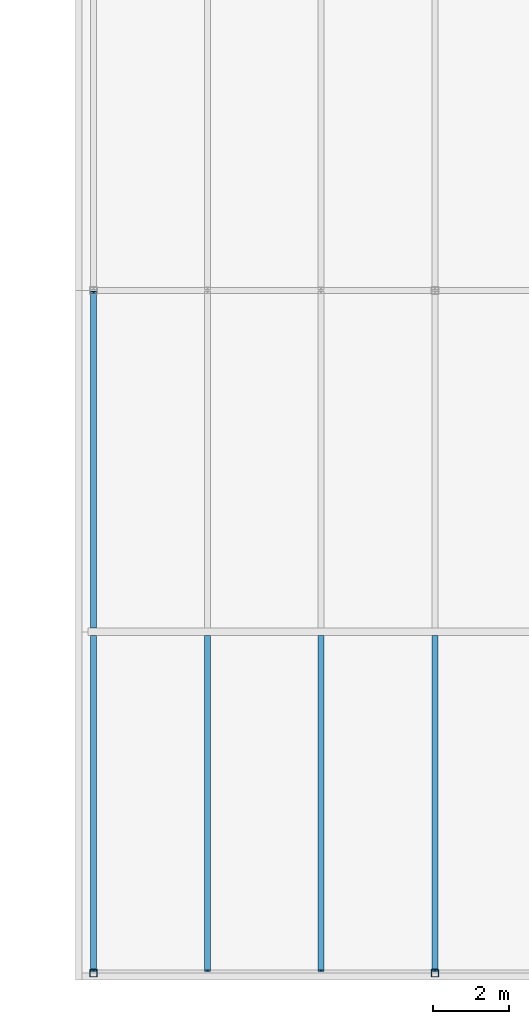
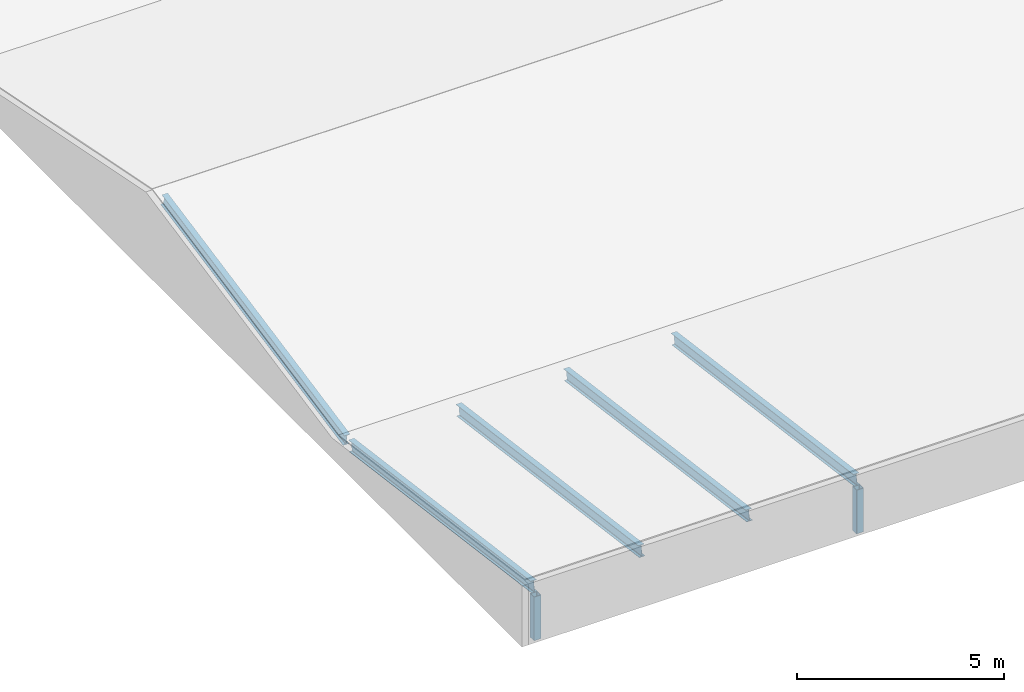
# One storey, part 2 of 29: 7 members.
"""IFC4 building model written with IfcOpenShell, lengths in metres."""

from ifc_helpers import new_model, si_unit, direction, frame, origin, origin_2d, place, context, subcontext, project, spatial, hollow_rectangle, i_section, extrude, material, material_profile, profile_set, type_object, element, save


model = new_model("IFC4")

# Units and contexts
model_context = context("Model", 3, precision=1e-05, world=origin(), true_north=direction((0.0, 1.0)))
body_context = subcontext(model_context, "Body", "Model", "MODEL_VIEW")
ifc_project = project(units=[si_unit("LENGTHUNIT", "METRE"), si_unit("AREAUNIT", "SQUARE_METRE"), si_unit("VOLUMEUNIT", "CUBIC_METRE"), si_unit("PLANEANGLEUNIT", "RADIAN"), si_unit("MASSUNIT", "GRAM", prefix="KILO")], contexts=[model_context])

# Site, building, storey
site_placement = place(None, origin())
site = spatial("IfcSite", under=ifc_project, at=site_placement, CompositionType="ELEMENT")
building_placement = place(site_placement, origin())
building = spatial("IfcBuilding", under=site, at=building_placement, Name="Azimuth Sports and Learning Centre", CompositionType="ELEMENT")
storey_placement = place(building_placement, frame((0.0, 0.0, 27.0)))
storey = spatial("IfcBuildingStorey", under=building, at=storey_placement, Name="L05", CompositionType="ELEMENT", Elevation=27.0)

# Members
ifc_material_1 = material(Name="Steel S355", Category="steel")
ifc_material_profile_1 = material_profile(ifc_material_1, i_section(OverallWidth=0.159912109375, OverallDepth=0.330078125, WebThickness=0.007568359375, FlangeThickness=0.011474609375, FilletRadius=0.01806640625, at=origin_2d()), Name="IPE 330")
ifc_profile_set_1 = profile_set([ifc_material_profile_1], Name="Steel S355")
member_type_1 = type_object("IfcMemberType", Name="Rafter IPE 330", PredefinedType="RAFTER", material=ifc_profile_set_1)
for number, where, z_axis, x_axis, name in (
    (1, (72.0, 0.063232421875, 1.473876953125), (0.0, 0.991227661054, -0.132165517294), (-1.0, 0.0, 0.0), "Rafter FOLD01 1"),
    (2, (75.0, 0.063232421875, 1.473876953125), (0.0, 0.991227661054, -0.132165517294), (-1.0, 0.0, 0.0), "Rafter FOLD01 2"),
    (3, (78.0, 0.063232421875, 1.473876953125), (0.0, 0.991227661054, -0.132165517294), (-1.0, 0.0, 0.0), "Rafter FOLD01 3"),
    (4, (81.0, 0.063232421875, 1.473876953125), (0.0, 0.991227661054, -0.132165517294), (-1.0, 0.0, 0.0), "Rafter FOLD01 4"),
):
    element("IfcMember", number, at=place(storey_placement, frame(where, z_axis=z_axis, x_axis=x_axis)), inside=storey, type_object=member_type_1, Name=name, PredefinedType="RAFTER", context=body_context, shape_type="SweptSolid", body=[
        extrude(i_section(OverallWidth=0.159912109375, OverallDepth=0.330078125, WebThickness=0.007568359375, FlangeThickness=0.011474609375, FilletRadius=0.01806640625, at=origin_2d()), origin(), (0.0, 0.0, 1.0), 8.898193359375),
    ])
member_placement = place(storey_placement, frame((72.0, 9.12744140625, 0.30419921875), z_axis=(0.0, 0.980581719653, 0.196110915255), x_axis=(-1.0, 0.0, 0.0)))
element("IfcMember", 5, at=member_placement, inside=storey, type_object=member_type_1, Name="Rafter FOLD02 11", PredefinedType="RAFTER", context=body_context, shape_type="SweptSolid", body=[
    extrude(i_section(OverallWidth=0.159912109375, OverallDepth=0.330078125, WebThickness=0.007568359375, FlangeThickness=0.011474609375, FilletRadius=0.01806640625, at=origin_2d()), origin(), (0.0, 0.0, 1.0), 8.994384765625),
])
ifc_material_2 = material(Name="Steel S355", Category="steel")
ifc_material_profile_2 = material_profile(ifc_material_2, hollow_rectangle(XDim=0.199951171875, YDim=0.199951171875, WallThickness=0.010009765625, InnerFilletRadius=0.010009765625, OuterFilletRadius=0.014892578125, at=origin_2d()), Name="SHS 200x200x10.0")
ifc_profile_set_2 = profile_set([ifc_material_profile_2], Name="Steel S355")
member_type_2 = type_object("IfcMemberType", Name="Truss post SHS 200x200x10.0", PredefinedType="POST", material=ifc_profile_set_2)
for number, where, z_axis, x_axis, name in (
    (6, (72.0, 0.0, 0.0), (0.0, 0.0, 1.0), (1.0, 0.0, 0.0), "Ridge post 9A"),
    (7, (81.0, 0.0, 0.0), (0.0, 0.0, 1.0), (1.0, 0.0, 0.0), "Ridge post 10A"),
):
    element("IfcMember", number, at=place(storey_placement, frame(where, z_axis=z_axis, x_axis=x_axis)), inside=storey, type_object=member_type_2, Name=name, PredefinedType="POST", context=body_context, shape_type="SweptSolid", body=[
        extrude(hollow_rectangle(XDim=0.199951171875, YDim=0.199951171875, WallThickness=0.010009765625, InnerFilletRadius=0.010009765625, OuterFilletRadius=0.014892578125, at=origin_2d()), origin(), (0.0, 0.0, 1.0), 1.288818359375),
    ])

save(model, "model.ifc")
